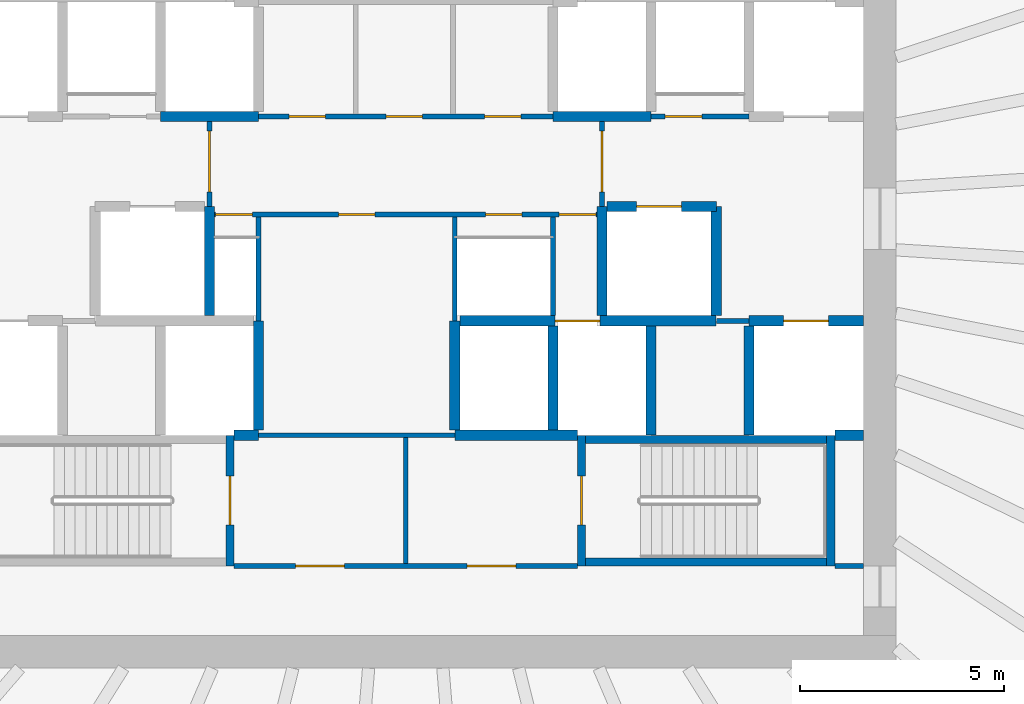
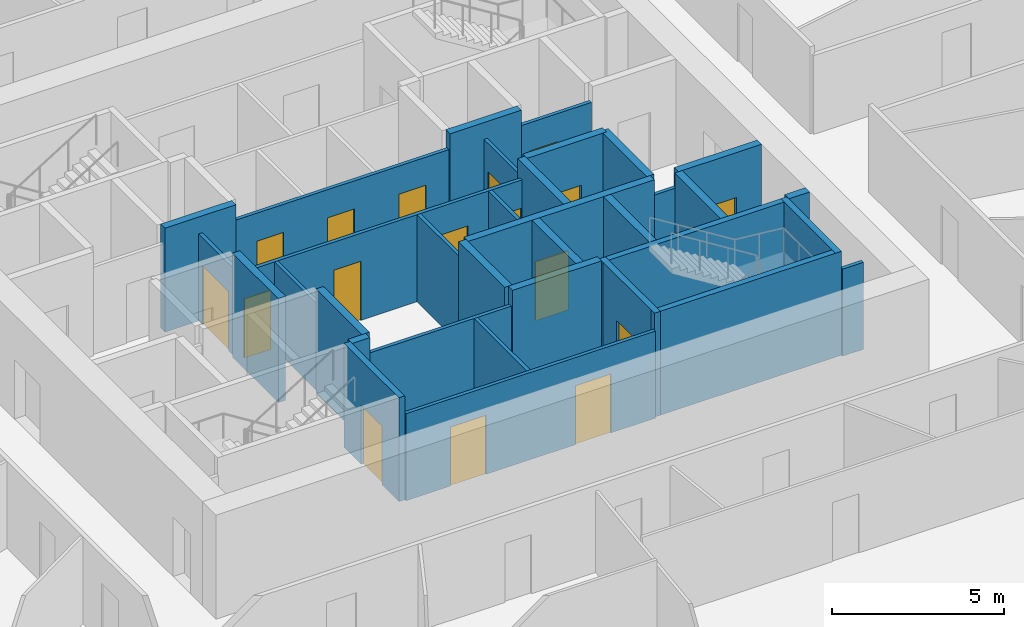
# One storey, part 7 of 10: 34 walls, 17 doors, 17 openings.
"""IFC4 building model written with IfcOpenShell, lengths in metres."""

from ifc_helpers import new_model, si_unit, direction, frame, frame_2d, origin, place, context, subcontext, project, spatial, rectangle, extrude, source, transform, mapped, material, layer, layer_set, type_object, element, fill, save


model = new_model("IFC4")

# Units and contexts
model_context = context("Model", 3, precision=1e-05, world=origin(), true_north=direction((0.0, 1.0)))
body_context = subcontext(model_context, "Body", "Model", "MODEL_VIEW")
ifc_project = project(units=[si_unit("LENGTHUNIT", "METRE"), si_unit("AREAUNIT", "SQUARE_METRE"), si_unit("VOLUMEUNIT", "CUBIC_METRE"), si_unit("PLANEANGLEUNIT", "RADIAN"), si_unit("MASSUNIT", "GRAM", prefix="KILO")], contexts=[model_context])

# Site, building, storey
site_placement = place(None, origin())
site = spatial("IfcSite", under=ifc_project, at=site_placement, CompositionType="ELEMENT")
building_placement = place(site_placement, origin())
building = spatial("IfcBuilding", under=site, at=building_placement, Name="Embergate Tower", CompositionType="ELEMENT")
storey_placement = place(building_placement, frame((0.0, 0.0, 179.39990234375)))
storey = spatial("IfcBuildingStorey", under=building, at=storey_placement, Name="L40", CompositionType="ELEMENT", Elevation=179.39990234375)

# Wall, opening, door
ifc_material_1 = material(Name="Core partition blockwork 120")
ifc_layer_1 = layer(ifc_material_1, 0.1201171875)
ifc_layer_set_1 = layer_set([ifc_layer_1], Name="Core partition blockwork 120")
wall_type_1 = type_object("IfcWallType", Name="Core partition blockwork 120", PredefinedType="PARTITIONING", material=ifc_layer_set_1)
shared_shape_1 = source(origin(), body_context, "Body", "SweptSolid", [
    extrude(rectangle(XDim=2.074951171875, YDim=0.1201171875, at=frame_2d((1.03759765625, 0.0))), origin(), (0.0, 0.0, 1.0), 3.10009765625),
])
wall_1_placement = place(storey_placement, frame((-4.800048828125, 2.375, 0.0), z_axis=(0.0, 0.0, 1.0), x_axis=(0.0, -1.0, 0.0)))
wall_1 = element("IfcWall", 1, at=wall_1_placement, inside=storey, type_object=wall_type_1, Name="IP-3 wall", PredefinedType="PARTITIONING", context=body_context, shape_type="MappedRepresentation", body=[
    mapped(shared_shape_1, transform((0.0, 0.0, 0.0))),
])
shared_shape_2 = source(origin(), body_context, "Body", "SweptSolid", [
    extrude(rectangle(XDim=1.5, YDim=2.10009765625, at=frame_2d((0.75, 1.050048828125))), frame((0.0, 0.070068359375, 0.0), z_axis=(0.0, -1.0, 0.0), x_axis=(1.0, 0.0, 0.0)), (0.0, 0.0, 1.0), 0.14013671875),
])
opening_1_placement = place(wall_1_placement, frame((0.22509765625, 0.0, 0.0)))
opening_1 = element("IfcOpeningElement", 2, at=opening_1_placement, cuts=wall_1, Name="Opening IF-3", PredefinedType="OPENING", context=body_context, shape_type="MappedRepresentation", body=[
    mapped(shared_shape_2, transform((0.0, 0.0, 0.0))),
])
ifc_material_2 = material(Name="Lobby fire door pair 1500")
door_type_1 = type_object("IfcDoorType", Name="Lobby fire door pair 1500", OperationType="DOUBLE_DOOR_SINGLE_SWING", PredefinedType="DOOR", material=ifc_material_2)
shared_shape_3 = source(origin(), body_context, "Body", "SweptSolid", [
    extrude(rectangle(XDim=1.5, YDim=2.10009765625, at=frame_2d((0.75, 1.050048828125))), frame((0.0, 0.02490234375, 0.0), z_axis=(0.0, -1.0, 0.0), x_axis=(1.0, 0.0, 0.0)), (0.0, 0.0, 1.0), 0.050048828125),
])
door_1_placement = place(opening_1_placement, origin())
door_1 = element("IfcDoor", 3, at=door_1_placement, inside=storey, type_object=door_type_1, Name="IF-3 door", OperationType="DOUBLE_DOOR_SINGLE_SWING", OverallHeight=2.10009765625, OverallWidth=1.5, PredefinedType="DOOR", context=body_context, shape_type="MappedRepresentation", body=[
    mapped(shared_shape_3, transform((0.0, 0.0, 0.0))),
])
fill(opening_1, door_1)

wall_2_placement = place(storey_placement, frame((4.800048828125, 0.300048828125, 0.0), z_axis=(0.0, 0.0, 1.0), x_axis=(0.0, 1.0, 0.0)))
wall_2 = element("IfcWall", 4, at=wall_2_placement, inside=storey, type_object=wall_type_1, Name="IP-3 wall", PredefinedType="PARTITIONING", context=body_context, shape_type="MappedRepresentation", body=[
    mapped(shared_shape_1, transform((0.0, 0.0, 0.0))),
])
opening_2_placement = place(wall_2_placement, frame((0.35009765625, 0.0, 0.0)))
opening_2 = element("IfcOpeningElement", 5, at=opening_2_placement, cuts=wall_2, Name="Opening IF-3", PredefinedType="OPENING", context=body_context, shape_type="MappedRepresentation", body=[
    mapped(shared_shape_2, transform((0.0, 0.0, 0.0))),
])
door_2_placement = place(opening_2_placement, origin())
door_2 = element("IfcDoor", 6, at=door_2_placement, inside=storey, type_object=door_type_1, Name="IF-3 door", OperationType="DOUBLE_DOOR_SINGLE_SWING", OverallHeight=2.10009765625, OverallWidth=1.5, PredefinedType="DOOR", context=body_context, shape_type="MappedRepresentation", body=[
    mapped(shared_shape_3, transform((0.0, 0.0, 0.0))),
])
fill(opening_2, door_2)

# Wall, openings, doors
shared_shape_4 = source(origin(), body_context, "Body", "SweptSolid", [
    extrude(rectangle(XDim=8.39990234375, YDim=0.1201171875, at=frame_2d((4.199951171875, 0.0))), origin(), (0.0, 0.0, 1.0), 3.10009765625),
])
wall_3_placement = place(storey_placement, frame((-4.199951171875, -8.5, 0.0), z_axis=(0.0, 0.0, 1.0), x_axis=(1.0, 0.0, 0.0)))
wall_3 = element("IfcWall", 7, at=wall_3_placement, inside=storey, type_object=wall_type_1, Name="IP-3 wall", PredefinedType="PARTITIONING", context=body_context, shape_type="MappedRepresentation", body=[
    mapped(shared_shape_4, transform((0.0, 0.0, 0.0))),
])
shared_shape_5 = source(origin(), body_context, "Body", "SweptSolid", [
    extrude(rectangle(XDim=1.199951171875, YDim=2.10009765625, at=frame_2d((0.60009765625, 1.050048828125))), frame((0.0, 0.070068359375, 0.0), z_axis=(0.0, -1.0, 0.0), x_axis=(1.0, 0.0, 0.0)), (0.0, 0.0, 1.0), 0.14013671875),
])
opening_3_placement = place(wall_3_placement, frame((1.5, 0.0, 0.0)))
opening_3 = element("IfcOpeningElement", 8, at=opening_3_placement, cuts=wall_3, Name="Opening IF-3f", PredefinedType="OPENING", context=body_context, shape_type="MappedRepresentation", body=[
    mapped(shared_shape_5, transform((0.0, 0.0, 0.0))),
])
opening_4_placement = place(wall_3_placement, frame((5.699951171875, 0.0, 0.0)))
opening_4 = element("IfcOpeningElement", 9, at=opening_4_placement, cuts=wall_3, Name="Opening IF-3f", PredefinedType="OPENING", context=body_context, shape_type="MappedRepresentation", body=[
    mapped(shared_shape_5, transform((0.0, 0.0, 0.0))),
])
ifc_material_3 = material(Name="Lobby fire door pair 1200")
door_type_2 = type_object("IfcDoorType", Name="Lobby fire door pair 1200", OperationType="DOUBLE_DOOR_SINGLE_SWING", PredefinedType="DOOR", material=ifc_material_3)
shared_shape_6 = source(origin(), body_context, "Body", "SweptSolid", [
    extrude(rectangle(XDim=1.199951171875, YDim=2.10009765625, at=frame_2d((0.60009765625, 1.050048828125))), frame((0.0, 0.02490234375, 0.0), z_axis=(0.0, -1.0, 0.0), x_axis=(1.0, 0.0, 0.0)), (0.0, 0.0, 1.0), 0.050048828125),
])
door_3_placement = place(opening_3_placement, origin())
door_3 = element("IfcDoor", 10, at=door_3_placement, inside=storey, type_object=door_type_2, Name="IF-3 door", OperationType="DOUBLE_DOOR_SINGLE_SWING", OverallHeight=2.10009765625, OverallWidth=1.199951171875, PredefinedType="DOOR", context=body_context, shape_type="MappedRepresentation", body=[
    mapped(shared_shape_6, transform((0.0, 0.0, 0.0))),
])
fill(opening_3, door_3)
door_4_placement = place(opening_4_placement, origin())
door_4 = element("IfcDoor", 11, at=door_4_placement, inside=storey, type_object=door_type_2, Name="IF-3 door", OperationType="DOUBLE_DOOR_SINGLE_SWING", OverallHeight=2.10009765625, OverallWidth=1.199951171875, PredefinedType="DOOR", context=body_context, shape_type="MappedRepresentation", body=[
    mapped(shared_shape_6, transform((0.0, 0.0, 0.0))),
])
fill(opening_4, door_4)

# Walls
ifc_material_4 = material(Name="Concrete C50", Category="concrete")
ifc_layer_2 = layer(ifc_material_4, 0.25)
ifc_layer_set_2 = layer_set([ifc_layer_2], Name="Concrete C50")
wall_type_2 = type_object("IfcWallType", Name="Hoistway wall reinforced concrete 250", PredefinedType="SHEAR", material=ifc_layer_set_2)
shared_shape_7 = source(origin(), body_context, "Body", "SweptSolid", [
    extrude(rectangle(XDim=2.675048828125, YDim=0.25, at=frame_2d((1.33740234375, 0.0))), origin(), (0.0, 0.0, 1.0), 3.7001953125),
])
for number, where, z_axis, x_axis, name in (
    (12, (-3.60009765625, -5.175048828125, 0.0), (0.0, 0.0, 1.0), (0.0, 1.0, 0.0), "HW-1 wall"),
    (13, (1.199951171875, -2.5, 0.0), (0.0, 0.0, 1.0), (0.0, -1.0, 0.0), "HW-1 wall"),
    (14, (-4.800048828125, 0.300048828125, 0.0), (0.0, 0.0, 1.0), (0.0, -1.0, 0.0), "HW-1 wall"),
    (15, (4.800048828125, -2.375, 0.0), (0.0, 0.0, 1.0), (0.0, 1.0, 0.0), "HW-1 wall"),
):
    element("IfcWall", number, at=place(storey_placement, frame(where, z_axis=z_axis, x_axis=x_axis)), inside=storey, type_object=wall_type_2, Name=name, PredefinedType="SHEAR", context=body_context, shape_type="MappedRepresentation", body=[
        mapped(shared_shape_7, transform((0.0, 0.0, 0.0))),
    ])

# Wall, opening, door
wall_4_placement = place(storey_placement, frame((7.60009765625, 0.300048828125, 0.0), z_axis=(0.0, 0.0, 1.0), x_axis=(-1.0, 0.0, 0.0)))
wall_4 = element("IfcWall", 16, at=wall_4_placement, inside=storey, type_object=wall_type_2, Name="HW-1 wall", PredefinedType="SHEAR", context=body_context, shape_type="MappedRepresentation", body=[
    mapped(shared_shape_7, transform((0.0, 0.0, 0.0))),
])
shared_shape_8 = source(origin(), body_context, "Body", "SweptSolid", [
    extrude(rectangle(XDim=1.10009765625, YDim=2.10009765625, at=frame_2d((0.550048828125, 1.050048828125))), frame((0.0, 0.135009765625, 0.0), z_axis=(0.0, -1.0, 0.0), x_axis=(1.0, 0.0, 0.0)), (0.0, 0.0, 1.0), 0.27001953125),
])
opening_5_placement = place(wall_4_placement, frame((0.85009765625, 0.0, 0.0)))
opening_5 = element("IfcOpeningElement", 17, at=opening_5_placement, cuts=wall_4, Name="Opening LD", PredefinedType="OPENING", context=body_context, shape_type="MappedRepresentation", body=[
    mapped(shared_shape_8, transform((0.0, 0.0, 0.0))),
])
ifc_material_5 = material(Name="Landing door sliding 1100")
door_type_3 = type_object("IfcDoorType", Name="Landing door sliding 1100", OperationType="SLIDING_TO_LEFT", PredefinedType="DOOR", material=ifc_material_5)
shared_shape_9 = source(origin(), body_context, "Body", "SweptSolid", [
    extrude(rectangle(XDim=1.10009765625, YDim=2.10009765625, at=frame_2d((0.550048828125, 1.050048828125))), frame((0.0, 0.02490234375, 0.0), z_axis=(0.0, -1.0, 0.0), x_axis=(1.0, 0.0, 0.0)), (0.0, 0.0, 1.0), 0.050048828125),
])
door_5_placement = place(opening_5_placement, origin())
door_5 = element("IfcDoor", 18, at=door_5_placement, inside=storey, type_object=door_type_3, Name="LD door", OperationType="SLIDING_TO_RIGHT", OverallHeight=2.10009765625, OverallWidth=1.10009765625, PredefinedType="DOOR", context=body_context, shape_type="MappedRepresentation", body=[
    mapped(shared_shape_9, transform((0.0, 0.0, 0.0))),
])
fill(opening_5, door_5)

# Walls
wall_5_placement = place(storey_placement, frame((7.60009765625, -2.375, 0.0), z_axis=(0.0, 0.0, 1.0), x_axis=(0.0, 1.0, 0.0)))
element("IfcWall", 19, at=wall_5_placement, inside=storey, type_object=wall_type_2, Name="HW-1 wall", PredefinedType="SHEAR", context=body_context, shape_type="MappedRepresentation", body=[
    mapped(shared_shape_7, transform((0.0, 0.0, 0.0))),
])
ifc_layer_3 = layer(ifc_material_4, 0.199951171875)
ifc_layer_set_3 = layer_set([ifc_layer_3], Name="Concrete C50")
wall_type_3 = type_object("IfcWallType", Name="Stair enclosure wall reinforced concrete 250", PredefinedType="SHEAR", material=ifc_layer_set_3)
shared_shape_10 = source(origin(), body_context, "Body", "SweptSolid", [
    extrude(rectangle(XDim=6.300048828125, YDim=0.199951171875, at=frame_2d((3.14990234375, 0.0))), origin(), (0.0, 0.0, 1.0), 3.7001953125),
])
for number, where, z_axis, x_axis, name in (
    (20, (4.199951171875, -5.39990234375, 0.0), (0.0, 0.0, 1.0), (1.0, 0.0, 0.0), "SE-1 wall"),
    (21, (4.199951171875, -8.39990234375, 0.0), (0.0, 0.0, 1.0), (1.0, 0.0, 0.0), "SE-1 wall"),
):
    element("IfcWall", number, at=place(storey_placement, frame(where, z_axis=z_axis, x_axis=x_axis)), inside=storey, type_object=wall_type_3, Name=name, PredefinedType="SHEAR", context=body_context, shape_type="MappedRepresentation", body=[
        mapped(shared_shape_10, transform((0.0, 0.0, 0.0))),
    ])
shared_shape_11 = source(origin(), body_context, "Body", "SweptSolid", [
    extrude(rectangle(XDim=2.550048828125, YDim=0.25, at=frame_2d((1.27490234375, 0.0))), origin(), (0.0, 0.0, 1.0), 3.7001953125),
])
wall_6_placement = place(storey_placement, frame((3.60009765625, -5.175048828125, 0.0), z_axis=(0.0, 0.0, 1.0), x_axis=(0.0, 1.0, 0.0)))
element("IfcWall", 22, at=wall_6_placement, inside=storey, type_object=wall_type_2, Name="HW-1 wall", PredefinedType="SHEAR", context=body_context, shape_type="MappedRepresentation", body=[
    mapped(shared_shape_11, transform((0.0, 0.0, 0.0))),
])

# Wall, opening, door
shared_shape_12 = source(origin(), body_context, "Body", "SweptSolid", [
    extrude(rectangle(XDim=3.199951171875, YDim=0.199951171875, at=frame_2d((1.60009765625, 0.0))), origin(), (0.0, 0.0, 1.0), 3.7001953125),
])
wall_7_placement = place(storey_placement, frame((-4.300048828125, -8.5, 0.0), z_axis=(0.0, 0.0, 1.0), x_axis=(0.0, 1.0, 0.0)))
wall_7 = element("IfcWall", 23, at=wall_7_placement, inside=storey, type_object=wall_type_3, Name="SE-1 wall", PredefinedType="SHEAR", context=body_context, shape_type="MappedRepresentation", body=[
    mapped(shared_shape_12, transform((0.0, 0.0, 0.0))),
])
shared_shape_13 = source(origin(), body_context, "Body", "SweptSolid", [
    extrude(rectangle(XDim=1.199951171875, YDim=2.10009765625, at=frame_2d((0.60009765625, 1.050048828125))), frame((0.0, 0.10986328125, 0.0), z_axis=(0.0, -1.0, 0.0), x_axis=(1.0, 0.0, 0.0)), (0.0, 0.0, 1.0), 0.219970703125),
])
opening_6_placement = place(wall_7_placement, frame((1.0, 0.0, 0.0)))
opening_6 = element("IfcOpeningElement", 24, at=opening_6_placement, cuts=wall_7, Name="Opening IF-2", PredefinedType="OPENING", context=body_context, shape_type="MappedRepresentation", body=[
    mapped(shared_shape_13, transform((0.0, 0.0, 0.0))),
])
ifc_material_6 = material(Name="Stair enclosure door 1200")
door_type_4 = type_object("IfcDoorType", Name="Stair enclosure door 1200", OperationType="SINGLE_SWING_LEFT", PredefinedType="DOOR", material=ifc_material_6)
door_6_placement = place(opening_6_placement, origin())
door_6 = element("IfcDoor", 25, at=door_6_placement, inside=storey, type_object=door_type_4, Name="IF-2 door", OperationType="SINGLE_SWING_LEFT", OverallHeight=2.10009765625, OverallWidth=1.199951171875, PredefinedType="DOOR", context=body_context, shape_type="MappedRepresentation", body=[
    mapped(shared_shape_6, transform((0.0, 0.0, 0.0))),
])
fill(opening_6, door_6)

wall_8_placement = place(storey_placement, frame((4.300048828125, -5.300048828125, 0.0), z_axis=(0.0, 0.0, 1.0), x_axis=(0.0, -1.0, 0.0)))
wall_8 = element("IfcWall", 26, at=wall_8_placement, inside=storey, type_object=wall_type_3, Name="SE-1 wall", PredefinedType="SHEAR", context=body_context, shape_type="MappedRepresentation", body=[
    mapped(shared_shape_12, transform((0.0, 0.0, 0.0))),
])
opening_7_placement = place(wall_8_placement, frame((1.0, 0.0, 0.0)))
opening_7 = element("IfcOpeningElement", 27, at=opening_7_placement, cuts=wall_8, Name="Opening IF-2", PredefinedType="OPENING", context=body_context, shape_type="MappedRepresentation", body=[
    mapped(shared_shape_13, transform((0.0, 0.0, 0.0))),
])
door_7_placement = place(opening_7_placement, origin())
door_7 = element("IfcDoor", 28, at=door_7_placement, inside=storey, type_object=door_type_4, Name="IF-2 door", OperationType="SINGLE_SWING_LEFT", OverallHeight=2.10009765625, OverallWidth=1.199951171875, PredefinedType="DOOR", context=body_context, shape_type="MappedRepresentation", body=[
    mapped(shared_shape_6, transform((0.0, 0.0, 0.0))),
])
fill(opening_7, door_7)

# Walls
shared_shape_14 = source(origin(), body_context, "Body", "SweptSolid", [
    extrude(rectangle(XDim=2.39990234375, YDim=0.25, at=frame_2d((1.199951171875, 0.0))), origin(), (0.0, 0.0, 1.0), 3.7001953125),
])
for number, where, z_axis, x_axis, name in (
    (29, (-6.0, 2.5, 0.0), (0.0, 0.0, 1.0), (1.0, 0.0, 0.0), "HW-1 wall"),
    (30, (3.60009765625, 2.5, 0.0), (0.0, 0.0, 1.0), (1.0, 0.0, 0.0), "HW-1 wall"),
):
    element("IfcWall", number, at=place(storey_placement, frame(where, z_axis=z_axis, x_axis=x_axis)), inside=storey, type_object=wall_type_2, Name=name, PredefinedType="SHEAR", context=body_context, shape_type="MappedRepresentation", body=[
        mapped(shared_shape_14, transform((0.0, 0.0, 0.0))),
    ])

# Wall, opening, door
shared_shape_15 = source(origin(), body_context, "Body", "SweptSolid", [
    extrude(rectangle(XDim=2.39990234375, YDim=0.1201171875, at=frame_2d((1.199951171875, 0.0))), origin(), (0.0, 0.0, 1.0), 3.10009765625),
])
wall_9_placement = place(storey_placement, frame((6.0, 2.5, 0.0), z_axis=(0.0, 0.0, 1.0), x_axis=(1.0, 0.0, 0.0)))
wall_9 = element("IfcWall", 31, at=wall_9_placement, inside=storey, type_object=wall_type_1, Name="IP-3 wall", PredefinedType="PARTITIONING", context=body_context, shape_type="MappedRepresentation", body=[
    mapped(shared_shape_15, transform((0.0, 0.0, 0.0))),
])
shared_shape_16 = source(origin(), body_context, "Body", "SweptSolid", [
    extrude(rectangle(XDim=0.89990234375, YDim=2.10009765625, at=frame_2d((0.449951171875, 1.050048828125))), frame((0.0, 0.070068359375, 0.0), z_axis=(0.0, -1.0, 0.0), x_axis=(1.0, 0.0, 0.0)), (0.0, 0.0, 1.0), 0.14013671875),
])
opening_8_placement = place(wall_9_placement, frame((0.35009765625, 0.0, 0.0)))
opening_8 = element("IfcOpeningElement", 32, at=opening_8_placement, cuts=wall_9, Name="Opening ID-1", PredefinedType="OPENING", context=body_context, shape_type="MappedRepresentation", body=[
    mapped(shared_shape_16, transform((0.0, 0.0, 0.0))),
])
ifc_material_7 = material(Name="Interior door 900")
door_type_5 = type_object("IfcDoorType", Name="Interior door 900", OperationType="SINGLE_SWING_LEFT", PredefinedType="DOOR", material=ifc_material_7)
shared_shape_17 = source(origin(), body_context, "Body", "SweptSolid", [
    extrude(rectangle(XDim=0.89990234375, YDim=2.10009765625, at=frame_2d((0.449951171875, 1.050048828125))), frame((0.0, 0.02490234375, 0.0), z_axis=(0.0, -1.0, 0.0), x_axis=(1.0, 0.0, 0.0)), (0.0, 0.0, 1.0), 0.050048828125),
])
door_8_placement = place(opening_8_placement, origin())
door_8 = element("IfcDoor", 33, at=door_8_placement, inside=storey, type_object=door_type_5, Name="ID-1 door", OperationType="SINGLE_SWING_LEFT", OverallHeight=2.10009765625, OverallWidth=0.89990234375, PredefinedType="DOOR", context=body_context, shape_type="MappedRepresentation", body=[
    mapped(shared_shape_17, transform((0.0, 0.0, 0.0))),
])
fill(opening_8, door_8)

# Wall, openings, doors
shared_shape_18 = source(origin(), body_context, "Body", "SweptSolid", [
    extrude(rectangle(XDim=9.35009765625, YDim=0.1201171875, at=frame_2d((4.675048828125, 0.0))), origin(), (0.0, 0.0, 1.0), 3.10009765625),
])
wall_10_placement = place(storey_placement, frame((-4.675048828125, 0.10009765625, 0.0), z_axis=(0.0, 0.0, 1.0), x_axis=(1.0, 0.0, 0.0)))
wall_10 = element("IfcWall", 34, at=wall_10_placement, inside=storey, type_object=wall_type_1, Name="IP-3 wall", PredefinedType="PARTITIONING", context=body_context, shape_type="MappedRepresentation", body=[
    mapped(shared_shape_18, transform((0.0, 0.0, 0.0))),
])
opening_9_placement = place(wall_10_placement, frame((8.425048828125, 0.0, 0.0)))
opening_9 = element("IfcOpeningElement", 35, at=opening_9_placement, cuts=wall_10, Name="Opening IF-3c", PredefinedType="OPENING", context=body_context, shape_type="MappedRepresentation", body=[
    mapped(shared_shape_16, transform((0.0, 0.0, 0.0))),
])
opening_10_placement = place(wall_10_placement, frame((0.02490234375, 0.0, 0.0)))
opening_10 = element("IfcOpeningElement", 36, at=opening_10_placement, cuts=wall_10, Name="Opening ID-1", PredefinedType="OPENING", context=body_context, shape_type="MappedRepresentation", body=[
    mapped(shared_shape_16, transform((0.0, 0.0, 0.0))),
])
opening_11_placement = place(wall_10_placement, frame((6.625, 0.0, 0.0)))
opening_11 = element("IfcOpeningElement", 37, at=opening_11_placement, cuts=wall_10, Name="Opening ID-1", PredefinedType="OPENING", context=body_context, shape_type="MappedRepresentation", body=[
    mapped(shared_shape_16, transform((0.0, 0.0, 0.0))),
])
opening_12_placement = place(wall_10_placement, frame((3.02490234375, 0.0, 0.0)))
opening_12 = element("IfcOpeningElement", 38, at=opening_12_placement, cuts=wall_10, Name="Opening ID-1", PredefinedType="OPENING", context=body_context, shape_type="MappedRepresentation", body=[
    mapped(shared_shape_16, transform((0.0, 0.0, 0.0))),
])
ifc_material_8 = material(Name="Lobby fire door pair 900")
door_type_6 = type_object("IfcDoorType", Name="Lobby fire door pair 900", OperationType="DOUBLE_DOOR_SINGLE_SWING", PredefinedType="DOOR", material=ifc_material_8)
door_9_placement = place(opening_9_placement, origin())
door_9 = element("IfcDoor", 39, at=door_9_placement, inside=storey, type_object=door_type_6, Name="IF-3 door", OperationType="DOUBLE_DOOR_SINGLE_SWING", OverallHeight=2.10009765625, OverallWidth=0.89990234375, PredefinedType="DOOR", context=body_context, shape_type="MappedRepresentation", body=[
    mapped(shared_shape_17, transform((0.0, 0.0, 0.0))),
])
fill(opening_9, door_9)
door_10_placement = place(opening_10_placement, origin())
door_10 = element("IfcDoor", 40, at=door_10_placement, inside=storey, type_object=door_type_5, Name="ID-1 door", OperationType="SINGLE_SWING_RIGHT", OverallHeight=2.10009765625, OverallWidth=0.89990234375, PredefinedType="DOOR", context=body_context, shape_type="MappedRepresentation", body=[
    mapped(shared_shape_17, transform((0.0, 0.0, 0.0))),
])
fill(opening_10, door_10)
door_11_placement = place(opening_11_placement, origin())
door_11 = element("IfcDoor", 41, at=door_11_placement, inside=storey, type_object=door_type_5, Name="ID-1 door", OperationType="SINGLE_SWING_RIGHT", OverallHeight=2.10009765625, OverallWidth=0.89990234375, PredefinedType="DOOR", context=body_context, shape_type="MappedRepresentation", body=[
    mapped(shared_shape_17, transform((0.0, 0.0, 0.0))),
])
fill(opening_11, door_11)
door_12_placement = place(opening_12_placement, origin())
door_12 = element("IfcDoor", 42, at=door_12_placement, inside=storey, type_object=door_type_5, Name="ID-1 door", OperationType="SINGLE_SWING_LEFT", OverallHeight=2.10009765625, OverallWidth=0.89990234375, PredefinedType="DOOR", context=body_context, shape_type="MappedRepresentation", body=[
    mapped(shared_shape_17, transform((0.0, 0.0, 0.0))),
])
fill(opening_12, door_12)

shared_shape_19 = source(origin(), body_context, "Body", "SweptSolid", [
    extrude(rectangle(XDim=7.2001953125, YDim=0.1201171875, at=frame_2d((3.60009765625, 0.0))), origin(), (0.0, 0.0, 1.0), 3.10009765625),
])
wall_11_placement = place(storey_placement, frame((3.60009765625, 2.5, 0.0), z_axis=(0.0, 0.0, 1.0), x_axis=(-1.0, 0.0, 0.0)))
wall_11 = element("IfcWall", 43, at=wall_11_placement, inside=storey, type_object=wall_type_1, Name="IP-3 wall", PredefinedType="PARTITIONING", context=body_context, shape_type="MappedRepresentation", body=[
    mapped(shared_shape_19, transform((0.0, 0.0, 0.0))),
])
opening_13_placement = place(wall_11_placement, frame((5.56201171875, 0.0, 0.0)))
opening_13 = element("IfcOpeningElement", 44, at=opening_13_placement, cuts=wall_11, Name="Opening ID-1", PredefinedType="OPENING", context=body_context, shape_type="MappedRepresentation", body=[
    mapped(shared_shape_16, transform((0.0, 0.0, 0.0))),
])
opening_14_placement = place(wall_11_placement, frame((3.18603515625, 0.0, 0.0)))
opening_14 = element("IfcOpeningElement", 45, at=opening_14_placement, cuts=wall_11, Name="Opening ID-1", PredefinedType="OPENING", context=body_context, shape_type="MappedRepresentation", body=[
    mapped(shared_shape_16, transform((0.0, 0.0, 0.0))),
])
opening_15_placement = place(wall_11_placement, frame((0.77392578125, 0.0, 0.0)))
opening_15 = element("IfcOpeningElement", 46, at=opening_15_placement, cuts=wall_11, Name="Opening ID-1", PredefinedType="OPENING", context=body_context, shape_type="MappedRepresentation", body=[
    mapped(shared_shape_16, transform((0.0, 0.0, 0.0))),
])
door_13_placement = place(opening_13_placement, origin())
door_13 = element("IfcDoor", 47, at=door_13_placement, inside=storey, type_object=door_type_5, Name="ID-1 door", OperationType="SINGLE_SWING_RIGHT", OverallHeight=2.10009765625, OverallWidth=0.89990234375, PredefinedType="DOOR", context=body_context, shape_type="MappedRepresentation", body=[
    mapped(shared_shape_17, transform((0.0, 0.0, 0.0))),
])
fill(opening_13, door_13)
door_14_placement = place(opening_14_placement, origin())
door_14 = element("IfcDoor", 48, at=door_14_placement, inside=storey, type_object=door_type_5, Name="ID-1 door", OperationType="SINGLE_SWING_RIGHT", OverallHeight=2.10009765625, OverallWidth=0.89990234375, PredefinedType="DOOR", context=body_context, shape_type="MappedRepresentation", body=[
    mapped(shared_shape_17, transform((0.0, 0.0, 0.0))),
])
fill(opening_14, door_14)
door_15_placement = place(opening_15_placement, origin())
door_15 = element("IfcDoor", 49, at=door_15_placement, inside=storey, type_object=door_type_5, Name="ID-1 door", OperationType="SINGLE_SWING_LEFT", OverallHeight=2.10009765625, OverallWidth=0.89990234375, PredefinedType="DOOR", context=body_context, shape_type="MappedRepresentation", body=[
    mapped(shared_shape_17, transform((0.0, 0.0, 0.0))),
])
fill(opening_15, door_15)

# Walls
shared_shape_20 = source(origin(), body_context, "Body", "SweptSolid", [
    extrude(rectangle(XDim=2.5400390625, YDim=0.1201171875, at=frame_2d((1.27001953125, 0.0))), origin(), (0.0, 0.0, 1.0), 3.10009765625),
])
for number, where, z_axis, x_axis, name in (
    (50, (-3.60009765625, -2.5, 0.0), (0.0, 0.0, 1.0), (0.0, 1.0, 0.0), "IP-3 wall"),
    (51, (1.199951171875, 0.0400390625, 0.0), (0.0, 0.0, 1.0), (0.0, -1.0, 0.0), "IP-3 wall"),
):
    element("IfcWall", number, at=place(storey_placement, frame(where, z_axis=z_axis, x_axis=x_axis)), inside=storey, type_object=wall_type_1, Name=name, PredefinedType="PARTITIONING", context=body_context, shape_type="MappedRepresentation", body=[
        mapped(shared_shape_20, transform((0.0, 0.0, 0.0))),
    ])
shared_shape_21 = source(origin(), body_context, "Body", "SweptSolid", [
    extrude(rectangle(XDim=2.4150390625, YDim=0.1201171875, at=frame_2d((1.20751953125, 0.0))), origin(), (0.0, 0.0, 1.0), 3.10009765625),
])
wall_12_placement = place(storey_placement, frame((3.60009765625, -2.375, 0.0), z_axis=(0.0, 0.0, 1.0), x_axis=(0.0, 1.0, 0.0)))
element("IfcWall", 52, at=wall_12_placement, inside=storey, type_object=wall_type_1, Name="IP-3 wall", PredefinedType="PARTITIONING", context=body_context, shape_type="MappedRepresentation", body=[
    mapped(shared_shape_21, transform((0.0, 0.0, 0.0))),
])
shared_shape_22 = source(origin(), body_context, "Body", "SweptSolid", [
    extrude(rectangle(XDim=3.079833984375, YDim=0.1201171875, at=frame_2d((1.5400390625, 0.0))), origin(), (0.0, 0.0, 1.0), 3.10009765625),
])
wall_13_placement = place(storey_placement, frame((0.0, -8.43994140625, 0.0), z_axis=(0.0, 0.0, 1.0), x_axis=(0.0, 1.0, 0.0)))
element("IfcWall", 53, at=wall_13_placement, inside=storey, type_object=wall_type_1, Name="IP-3 wall", PredefinedType="PARTITIONING", context=body_context, shape_type="MappedRepresentation", body=[
    mapped(shared_shape_22, transform((0.0, 0.0, 0.0))),
])
shared_shape_23 = source(origin(), body_context, "Body", "SweptSolid", [
    extrude(rectangle(XDim=4.800048828125, YDim=0.1201171875, at=frame_2d((2.39990234375, 0.0))), origin(), (0.0, 0.0, 1.0), 3.10009765625),
])
wall_14_placement = place(storey_placement, frame((1.199951171875, -5.300048828125, 0.0), z_axis=(0.0, 0.0, 1.0), x_axis=(-1.0, 0.0, 0.0)))
element("IfcWall", 54, at=wall_14_placement, inside=storey, type_object=wall_type_1, Name="IP-3 wall", PredefinedType="PARTITIONING", context=body_context, shape_type="MappedRepresentation", body=[
    mapped(shared_shape_23, transform((0.0, 0.0, 0.0))),
])
shared_shape_24 = source(origin(), body_context, "Body", "SweptSolid", [
    extrude(rectangle(XDim=0.7958984375, YDim=0.1201171875, at=frame_2d((0.39794921875, 0.0))), origin(), (0.0, 0.0, 1.0), 3.10009765625),
])
wall_15_placement = place(storey_placement, frame((7.60205078125, -2.5, 0.0), z_axis=(0.0, 0.0, 1.0), x_axis=(1.0, 0.0, 0.0)))
element("IfcWall", 55, at=wall_15_placement, inside=storey, type_object=wall_type_1, Name="IP-3 wall", PredefinedType="PARTITIONING", context=body_context, shape_type="MappedRepresentation", body=[
    mapped(shared_shape_24, transform((0.0, 0.0, 0.0))),
])
shared_shape_25 = source(origin(), body_context, "Body", "SweptSolid", [
    extrude(rectangle(XDim=0.697998046875, YDim=0.1201171875, at=frame_2d((0.34912109375, 0.0))), origin(), (0.0, 0.0, 1.0), 3.10009765625),
])
wall_16_placement = place(storey_placement, frame((11.199951171875, -8.5, 0.0), z_axis=(0.0, 0.0, 1.0), x_axis=(-1.0, 0.0, 0.0)))
element("IfcWall", 56, at=wall_16_placement, inside=storey, type_object=wall_type_1, Name="IP-3 wall", PredefinedType="PARTITIONING", context=body_context, shape_type="MappedRepresentation", body=[
    mapped(shared_shape_25, transform((0.0, 0.0, 0.0))),
])

# Wall, opening, door
shared_shape_26 = source(origin(), body_context, "Body", "SweptSolid", [
    extrude(rectangle(XDim=2.800048828125, YDim=0.25, at=frame_2d((1.39990234375, 0.0))), origin(), (0.0, 0.0, 1.0), 3.7001953125),
])
wall_17_placement = place(storey_placement, frame((11.199951171875, -2.5, 0.0), z_axis=(0.0, 0.0, 1.0), x_axis=(-1.0, 0.0, 0.0)))
wall_17 = element("IfcWall", 57, at=wall_17_placement, inside=storey, type_object=wall_type_2, Name="HW-1 wall", PredefinedType="SHEAR", context=body_context, shape_type="MappedRepresentation", body=[
    mapped(shared_shape_26, transform((0.0, 0.0, 0.0))),
])
opening_16_placement = place(wall_17_placement, frame((0.85009765625, 0.0, 0.0)))
opening_16 = element("IfcOpeningElement", 58, at=opening_16_placement, cuts=wall_17, Name="Opening LD", PredefinedType="OPENING", context=body_context, shape_type="MappedRepresentation", body=[
    mapped(shared_shape_8, transform((0.0, 0.0, 0.0))),
])
door_16_placement = place(opening_16_placement, origin())
door_16 = element("IfcDoor", 59, at=door_16_placement, inside=storey, type_object=door_type_3, Name="LD door", OperationType="SLIDING_TO_RIGHT", OverallHeight=2.10009765625, OverallWidth=1.10009765625, PredefinedType="DOOR", context=body_context, shape_type="MappedRepresentation", body=[
    mapped(shared_shape_9, transform((0.0, 0.0, 0.0))),
])
fill(opening_16, door_16)

# Wall
shared_shape_27 = source(origin(), body_context, "Body", "SweptSolid", [
    extrude(rectangle(XDim=0.599853515625, YDim=0.25, at=frame_2d((0.2998046875, 0.0))), origin(), (0.0, 0.0, 1.0), 3.7001953125),
])
wall_18_placement = place(storey_placement, frame((-4.199951171875, -5.300048828125, 0.0), z_axis=(0.0, 0.0, 1.0), x_axis=(1.0, 0.0, 0.0)))
element("IfcWall", 60, at=wall_18_placement, inside=storey, type_object=wall_type_2, Name="HW-1 wall", PredefinedType="SHEAR", context=body_context, shape_type="MappedRepresentation", body=[
    mapped(shared_shape_27, transform((0.0, 0.0, 0.0))),
])

# Wall, opening, door
shared_shape_28 = source(origin(), body_context, "Body", "SweptSolid", [
    extrude(rectangle(XDim=6.27294921875, YDim=0.25, at=frame_2d((3.136474609375, 0.0))), origin(), (0.0, 0.0, 1.0), 3.7001953125),
])
wall_19_placement = place(storey_placement, frame((7.597900390625, -2.5, 0.0), z_axis=(0.0, 0.0, 1.0), x_axis=(-1.0, 0.0, 0.0)))
wall_19 = element("IfcWall", 61, at=wall_19_placement, inside=storey, type_object=wall_type_2, Name="HW-1 wall", PredefinedType="SHEAR", context=body_context, shape_type="MappedRepresentation", body=[
    mapped(shared_shape_28, transform((0.0, 0.0, 0.0))),
])
opening_17_placement = place(wall_19_placement, frame((2.847900390625, 0.0, 0.0)))
opening_17 = element("IfcOpeningElement", 62, at=opening_17_placement, cuts=wall_19, Name="Opening LD", PredefinedType="OPENING", context=body_context, shape_type="MappedRepresentation", body=[
    mapped(shared_shape_8, transform((0.0, 0.0, 0.0))),
])
door_17_placement = place(opening_17_placement, origin())
door_17 = element("IfcDoor", 63, at=door_17_placement, inside=storey, type_object=door_type_3, Name="LD door", OperationType="SLIDING_TO_LEFT", OverallHeight=2.10009765625, OverallWidth=1.10009765625, PredefinedType="DOOR", context=body_context, shape_type="MappedRepresentation", body=[
    mapped(shared_shape_9, transform((0.0, 0.0, 0.0))),
])
fill(opening_17, door_17)

# Walls
shared_shape_29 = source(origin(), body_context, "Body", "SweptSolid", [
    extrude(rectangle(XDim=3.0, YDim=0.25, at=frame_2d((1.5, 0.0))), origin(), (0.0, 0.0, 1.0), 3.7001953125),
])
wall_20_placement = place(storey_placement, frame((1.199951171875, -5.300048828125, 0.0), z_axis=(0.0, 0.0, 1.0), x_axis=(1.0, 0.0, 0.0)))
element("IfcWall", 64, at=wall_20_placement, inside=storey, type_object=wall_type_2, Name="HW-1 wall", PredefinedType="SHEAR", context=body_context, shape_type="MappedRepresentation", body=[
    mapped(shared_shape_29, transform((0.0, 0.0, 0.0))),
])
shared_shape_30 = source(origin(), body_context, "Body", "SweptSolid", [
    extrude(rectangle(XDim=3.196044921875, YDim=0.199951171875, at=frame_2d((1.59814453125, 0.0))), origin(), (0.0, 0.0, 1.0), 3.7001953125),
])
wall_21_placement = place(storey_placement, frame((10.39990234375, -8.498046875, 0.0), z_axis=(0.0, 0.0, 1.0), x_axis=(0.0, 1.0, 0.0)))
element("IfcWall", 65, at=wall_21_placement, inside=storey, type_object=wall_type_3, Name="SE-1 wall", PredefinedType="SHEAR", context=body_context, shape_type="MappedRepresentation", body=[
    mapped(shared_shape_30, transform((0.0, 0.0, 0.0))),
])
shared_shape_31 = source(origin(), body_context, "Body", "SweptSolid", [
    extrude(rectangle(XDim=0.697998046875, YDim=0.25, at=frame_2d((0.34912109375, 0.0))), origin(), (0.0, 0.0, 1.0), 3.7001953125),
])
wall_22_placement = place(storey_placement, frame((10.501953125, -5.300048828125, 0.0), z_axis=(0.0, 0.0, 1.0), x_axis=(1.0, 0.0, 0.0)))
element("IfcWall", 66, at=wall_22_placement, inside=storey, type_object=wall_type_2, Name="HW-1 wall", PredefinedType="SHEAR", context=body_context, shape_type="MappedRepresentation", body=[
    mapped(shared_shape_31, transform((0.0, 0.0, 0.0))),
])
shared_shape_32 = source(origin(), body_context, "Body", "SweptSolid", [
    extrude(rectangle(XDim=2.671142578125, YDim=0.25, at=frame_2d((1.33544921875, 0.0))), origin(), (0.0, 0.0, 1.0), 3.7001953125),
])
for number, where, z_axis, x_axis, name in (
    (67, (6.0, -5.298095703125, 0.0), (0.0, 0.0, 1.0), (0.0, 1.0, 0.0), "HW-1 wall"),
    (68, (8.39990234375, -2.626953125, 0.0), (0.0, 0.0, 1.0), (0.0, -1.0, 0.0), "HW-1 wall"),
):
    element("IfcWall", number, at=place(storey_placement, frame(where, z_axis=z_axis, x_axis=x_axis)), inside=storey, type_object=wall_type_2, Name=name, PredefinedType="SHEAR", context=body_context, shape_type="MappedRepresentation", body=[
        mapped(shared_shape_32, transform((0.0, 0.0, 0.0))),
    ])

save(model, "model.ifc")
